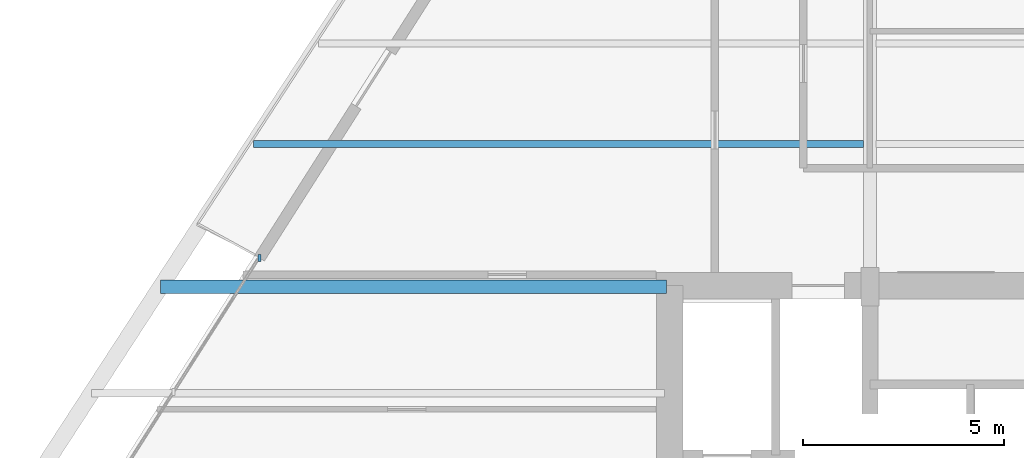
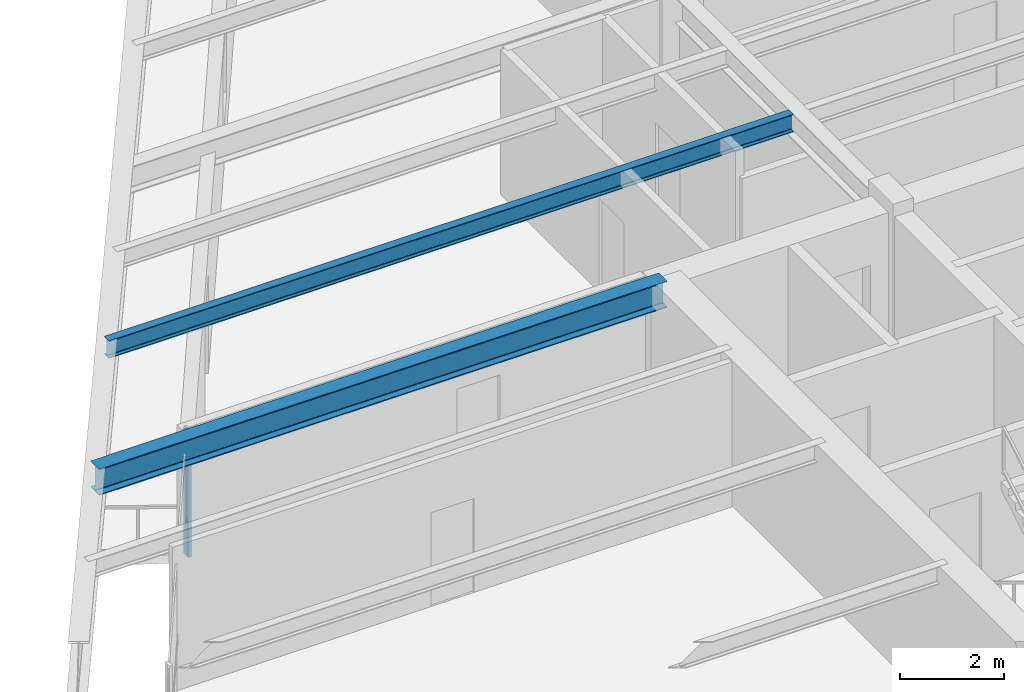
# One storey, part 4 of 15: 2 beams, 1 member, 1 element without a shape of its own.
"""IFC4 building model written with IfcOpenShell, lengths in metres."""

from ifc_helpers import new_model, si_unit, direction, frame, origin, origin_2d, place, context, subcontext, project, spatial, rectangle, i_section, extrude, source, transform, mapped, material, material_profile, profile_set, type_object, element, aggregate, save


model = new_model("IFC4")

# Units and contexts
model_context = context("Model", 3, precision=1e-05, world=origin(), true_north=direction((0.0, 1.0)))
body_context = subcontext(model_context, "Body", "Model", "MODEL_VIEW")
ifc_project = project(units=[si_unit("LENGTHUNIT", "METRE"), si_unit("AREAUNIT", "SQUARE_METRE"), si_unit("VOLUMEUNIT", "CUBIC_METRE"), si_unit("PLANEANGLEUNIT", "RADIAN"), si_unit("MASSUNIT", "GRAM", prefix="KILO")], contexts=[model_context])

# Site, building, storey
site_placement = place(None, origin())
site = spatial("IfcSite", under=ifc_project, at=site_placement, CompositionType="ELEMENT")
building_placement = place(site_placement, origin())
building = spatial("IfcBuilding", under=site, at=building_placement, Name="Varnakhor Terracotta Tower", CompositionType="ELEMENT")
storey_placement = place(building_placement, frame((0.0, 0.0, 162.60009765625)))
storey = spatial("IfcBuildingStorey", under=building, at=storey_placement, Name="L41", CompositionType="ELEMENT", Elevation=162.60009765625)

# Beams
ifc_material_1 = material(Name="Steel S355", Category="steel")
ifc_material_profile_1 = material_profile(ifc_material_1, i_section(OverallWidth=0.324951171875, OverallDepth=0.615966796875, WebThickness=0.013916015625, FlangeThickness=0.02197265625, FilletRadius=0.01806640625, at=origin_2d()), Name="W24X117")
ifc_profile_set_1 = profile_set([ifc_material_profile_1], Name="Steel S355")
beam_type_1 = type_object("IfcBeamType", Name="BM-W24X117", PredefinedType="BEAM", material=ifc_profile_set_1)
shared_shape_1 = source(origin(), body_context, "Body", "SweptSolid", [
    extrude(i_section(OverallWidth=0.324951171875, OverallDepth=0.615966796875, WebThickness=0.013916015625, FlangeThickness=0.02197265625, FilletRadius=0.01806640625, at=origin_2d()), origin(), (0.0, 0.0, 1.0), 12.585205078125),
])
beam_1_placement = place(storey_placement, frame((-23.13525390625, 16.050048828125, 3.091796875), z_axis=(1.0, 0.0, 0.0), x_axis=(0.0, 1.0, 0.0)))
element("IfcBeam", 1, at=beam_1_placement, inside=storey, type_object=beam_type_1, Name="L41 Wing Girder W", PredefinedType="BEAM", context=body_context, shape_type="MappedRepresentation", body=[
    mapped(shared_shape_1, transform((0.0, 0.0, 0.0), scale=1.0)),
])
ifc_material_profile_2 = material_profile(ifc_material_1, i_section(OverallWidth=0.179931640625, OverallDepth=0.4130859375, WebThickness=0.009765625, FlangeThickness=0.01611328125, FilletRadius=0.01806640625, at=origin_2d()), Name="W16X50")
ifc_profile_set_2 = profile_set([ifc_material_profile_2], Name="Steel S355")
beam_type_2 = type_object("IfcBeamType", Name="JST-W16X50", PredefinedType="JOIST", material=ifc_profile_set_2)
shared_shape_2 = source(origin(), body_context, "Body", "SweptSolid", [
    extrude(i_section(OverallWidth=0.179931640625, OverallDepth=0.4130859375, WebThickness=0.009765625, FlangeThickness=0.01611328125, FilletRadius=0.01806640625, at=origin_2d()), origin(), (0.0, 0.0, 1.0), 15.16943359375),
])
beam_2_placement = place(storey_placement, frame((-20.827880859375, 19.60009765625, 3.193359375), z_axis=(1.0, 0.0, 0.0), x_axis=(0.0, 1.0, 0.0)))
element("IfcBeam", 2, at=beam_2_placement, inside=storey, type_object=beam_type_2, Name="L41 Composite Floor Joist 4-1", PredefinedType="JOIST", context=body_context, shape_type="MappedRepresentation", body=[
    mapped(shared_shape_2, transform((0.0, 0.0, 0.0), scale=1.0)),
])

# Curtain wall, member
ifc_material_2 = material(Name="Anodised Aluminium Curtain Wall System", Category="aluminium")
curtain_wall_type = type_object("IfcCurtainWallType", Name="CW-SYS-MID-OFFICE", PredefinedType="NOTDEFINED", material=ifc_material_2)
curtain_wall_placement = place(storey_placement, origin())
curtain_wall = element("IfcCurtainWall", 3, at=curtain_wall_placement, inside=storey, type_object=curtain_wall_type, Name="L41 W Facet Curtain Wall 1", PredefinedType="NOTDEFINED")
ifc_material_3 = material(Name="Anodised Aluminium 6063-T6", Category="aluminium")
ifc_material_profile_3 = material_profile(ifc_material_3, rectangle(XDim=0.070068359375, YDim=0.175048828125, at=origin_2d()), Name="ALU MULLION 70x175")
ifc_profile_set_3 = profile_set([ifc_material_profile_3], Name="Anodised Aluminium 6063-T6")
member_type = type_object("IfcMemberType", Name="CWM-03", PredefinedType="MULLION", material=ifc_profile_set_3)
shared_shape_3 = source(origin(), body_context, "Body", "SweptSolid", [
    extrude(rectangle(XDim=0.070068359375, YDim=0.175048828125, at=origin_2d()), origin(), (0.0, 0.0, 1.0), 2.97998046875),
])
member_placement = place(storey_placement, frame((-20.671875, 16.764892578125, 0.0), z_axis=(0.0, 0.0, 1.0), x_axis=(1.0, 0.0, 0.0)))
member = element("IfcMember", 4, at=member_placement, type_object=member_type, Name="L41 W Loggia Jamb Closure Mullion 1", PredefinedType="MULLION", context=body_context, shape_type="MappedRepresentation", body=[
    mapped(shared_shape_3, transform((0.0, 0.0, 0.0), scale=1.0)),
])
aggregate(curtain_wall, [member])

save(model, "model.ifc")
